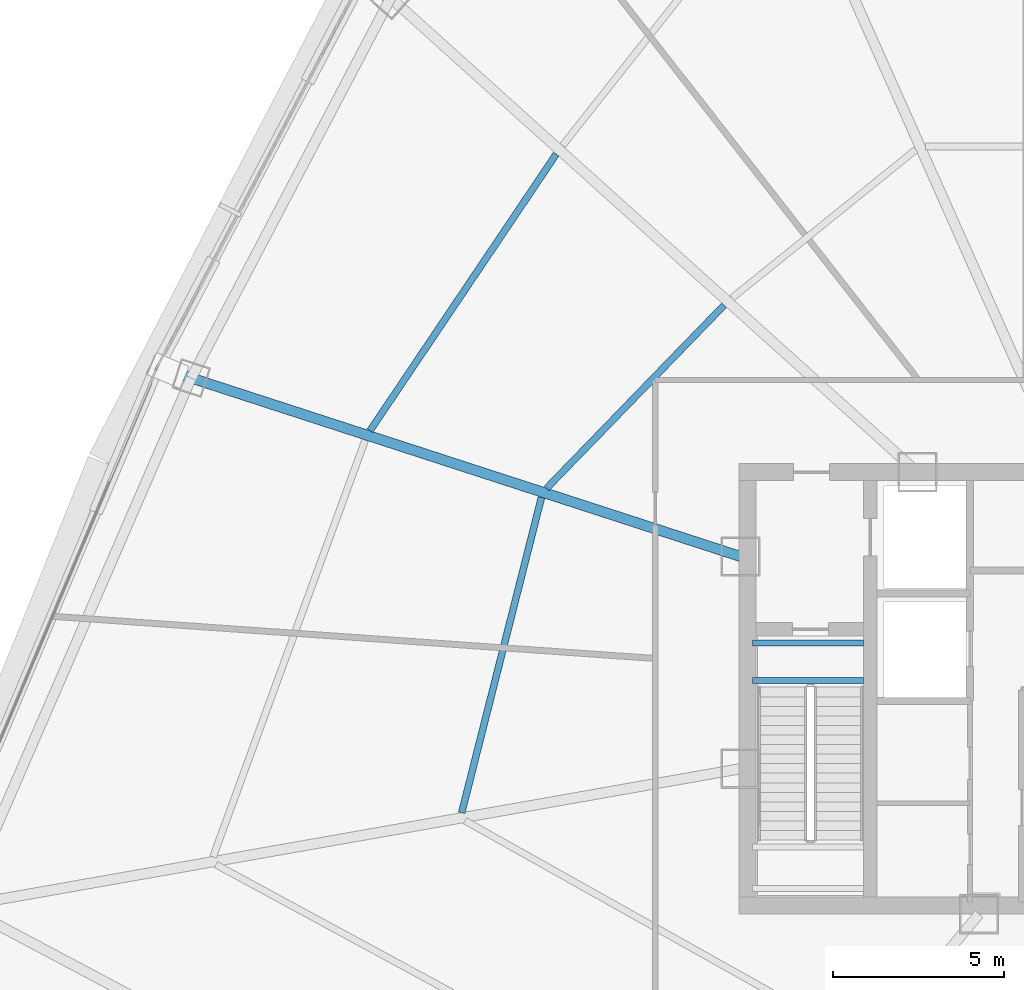
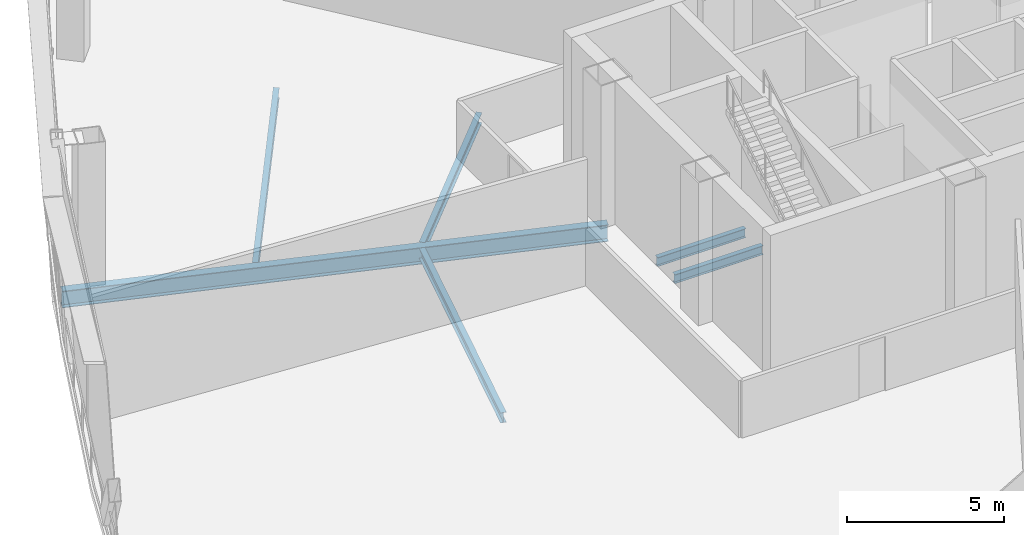
# One storey, part 9 of 38: 6 beams.
"""IFC4 building model written with IfcOpenShell, lengths in metres."""

import ifcopenshell
import ifcopenshell.guid

model = None  # the IFC model being written
_history = None  # IfcOwnerHistory: only IFC2X3 demands one
_inside = {}  # id of a spatial element -> (the spatial element, [elements in it])
_under = {}  # id of a project, library or spatial element -> (it, [spatial elements below it])
_declared = {}  # id of a project -> (the project, [libraries it declares])
_typed = {}  # id of a type object -> (the type object, [elements of that type])
_made_of = {}  # id of a material, layer set ... -> (it, [elements and type objects made of it])


def new_model(schema):
    """Start an empty IFC model of exactly this schema.

    Asked for "IFC4X3", IfcOpenShell would pick the latest addendum, in which some entities
    have other attributes; the version numbers below select the first issue.
    IFC2X3 requires an IfcOwnerHistory on every rooted entity: one is made here for all.
    """
    global model, _history
    if schema == "IFC4X3":
        model = ifcopenshell.file(schema_version=(4, 3, 0, 0))
    else:
        model = ifcopenshell.file(schema=schema)
    _inside.clear()
    _under.clear()
    _declared.clear()
    _typed.clear()
    _made_of.clear()
    _history = None
    if model.schema == "IFC2X3":
        org = make("IfcOrganization", Name="unknown")
        user = make(
            "IfcPersonAndOrganization",
            ThePerson=make("IfcPerson", FamilyName="unknown"),
            TheOrganization=org,
        )
        app = make(
            "IfcApplication",
            ApplicationDeveloper=org,
            Version="unknown",
            ApplicationFullName="unknown",
            ApplicationIdentifier="unknown",
        )
        _history = make(
            "IfcOwnerHistory",
            OwningUser=user,
            OwningApplication=app,
            ChangeAction="ADDED",
            CreationDate=0,
        )
    return model


def make(cls, **values):
    """One entity of the class cls with the attributes given. An attribute that is None is left unset."""
    return model.create_entity(
        cls, **{name: value for name, value in values.items() if value is not None}
    )


def rooted(cls, **values):
    """An entity with a GlobalId (a new one), such as an element, a storey or a relation."""
    return make(cls, GlobalId=ifcopenshell.guid.new(), OwnerHistory=_history, **values)


def si_unit(unit_type, name, prefix=None):
    """IfcSIUnit, for example si_unit("LENGTHUNIT", "METRE", prefix="MILLI")."""
    return make("IfcSIUnit", UnitType=unit_type, Prefix=prefix, Name=name)


def assignment(units):
    """IfcUnitAssignment: the units of a project."""
    return None if units is None else make("IfcUnitAssignment", Units=units)


def point(xyz):
    """IfcCartesianPoint."""
    return None if xyz is None else make("IfcCartesianPoint", Coordinates=xyz)


def direction(xyz):
    """IfcDirection."""
    return None if xyz is None else make("IfcDirection", DirectionRatios=xyz)


def frame(location, z_axis=None, x_axis=None):
    """IfcAxis2Placement3D, a coordinate frame: its origin and axes. An axis left out is left unset."""
    return make(
        "IfcAxis2Placement3D",
        Location=point(location),
        Axis=direction(z_axis),
        RefDirection=direction(x_axis),
    )


def frame_2d(location, x_axis=None):
    """IfcAxis2Placement2D, a coordinate frame in the plane: its origin and x axis."""
    return make(
        "IfcAxis2Placement2D", Location=point(location), RefDirection=direction(x_axis)
    )


def origin():
    """The frame at (0, 0, 0) with its axes left unset."""
    return frame((0.0, 0.0, 0.0))


def origin_2d():
    """The frame at (0, 0) in the plane with its x axis left unset."""
    return frame_2d((0.0, 0.0))


def place(relative_to, where):
    """IfcLocalPlacement: puts the frame where relative to a parent placement (None: the world)."""
    return make(
        "IfcLocalPlacement", PlacementRelTo=relative_to, RelativePlacement=where
    )


def context(
    kind, dimensions, precision=None, world=None, true_north=None, identifier=None
):
    """IfcGeometricRepresentationContext, for example the 3D "Model" context."""
    return make(
        "IfcGeometricRepresentationContext",
        ContextIdentifier=identifier,
        ContextType=kind,
        CoordinateSpaceDimension=dimensions,
        Precision=precision,
        WorldCoordinateSystem=world,
        TrueNorth=true_north,
    )


def subcontext(parent, identifier, kind, view, scale=None):
    """IfcGeometricRepresentationSubContext, for example "Body" below "Model"."""
    return make(
        "IfcGeometricRepresentationSubContext",
        ContextIdentifier=identifier,
        ContextType=kind,
        ParentContext=parent,
        TargetScale=scale,
        TargetView=view,
    )


def project(units=None, contexts=None):
    """IfcProject with its units and contexts."""
    return rooted(
        "IfcProject",
        Name="project",
        RepresentationContexts=contexts,
        UnitsInContext=assignment(units),
    )


def spatial(cls, under=None, at=None, **own):
    """A site, building, storey or space (cls), placed at a placement, below another one or the project."""
    s = rooted(cls, ObjectPlacement=at, **own)
    if under is not None:
        _under.setdefault(under.id(), (under, []))[1].append(s)
    return s


def profile(cls, at=None, kind="AREA", **sizes):
    """A parametric profile (cls). Its sizes go by their IFC names, for example OverallWidth=200.0."""
    return make(cls, ProfileType=kind, Position=at, **sizes)


def i_section(**sizes):
    """IfcIShapeProfileDef."""
    return profile("IfcIShapeProfileDef", **sizes)


def extrude(swept, where, along, depth):
    """IfcExtrudedAreaSolid: the profile swept, set in the frame where, extruded along a direction by depth."""
    return make(
        "IfcExtrudedAreaSolid",
        SweptArea=swept,
        Position=where,
        ExtrudedDirection=direction(along),
        Depth=depth,
    )


def shape(context_of_items, identifier, shape_type, items):
    """IfcShapeRepresentation: the items that make up one representation, for example the "Body"."""
    return make(
        "IfcShapeRepresentation",
        ContextOfItems=context_of_items,
        RepresentationIdentifier=identifier,
        RepresentationType=shape_type,
        Items=items,
    )


def source(mapping_origin, context_of_items, identifier, shape_type, items):
    """IfcRepresentationMap: a shape defined once, which mapped items show again and again."""
    return make(
        "IfcRepresentationMap",
        MappingOrigin=mapping_origin,
        MappedRepresentation=shape(context_of_items, identifier, shape_type, items),
    )


def transform(
    local_origin,
    x_axis=None,
    y_axis=None,
    z_axis=None,
    scale=None,
    scale2=None,
    scale3=None,
    uniform=True,
):
    """IfcCartesianTransformationOperator3D, or its non-uniform kind. x_axis, y_axis, z_axis: its Axis1, 2, 3."""
    if uniform:
        return make(
            "IfcCartesianTransformationOperator3D",
            Axis1=direction(x_axis),
            Axis2=direction(y_axis),
            LocalOrigin=point(local_origin),
            Scale=scale,
            Axis3=direction(z_axis),
        )
    return make(
        "IfcCartesianTransformationOperator3DnonUniform",
        Axis1=direction(x_axis),
        Axis2=direction(y_axis),
        LocalOrigin=point(local_origin),
        Scale=scale,
        Axis3=direction(z_axis),
        Scale2=scale2,
        Scale3=scale3,
    )


def mapped(mapping_source, mapping_target):
    """IfcMappedItem: shows the shape of a source again, moved by a transform."""
    return make(
        "IfcMappedItem", MappingSource=mapping_source, MappingTarget=mapping_target
    )


def material(Name=None, Category=None):
    """IfcMaterial."""
    return make("IfcMaterial", Name=Name, Category=Category)


def material_profile(
    of_material, cross_section, Name=None, Category=None, Priority=None
):
    """IfcMaterialProfile: a cross section and its material."""
    return make(
        "IfcMaterialProfile",
        Name=Name,
        Material=of_material,
        Profile=cross_section,
        Priority=Priority,
        Category=Category,
    )


def profile_set(profiles, Name=None, composite=None):
    """IfcMaterialProfileSet."""
    return make(
        "IfcMaterialProfileSet",
        Name=Name,
        MaterialProfiles=profiles,
        CompositeProfile=composite,
    )


def made_of(thing, what):
    """Note that an element or type object is made of a material, layer set ...; save() writes the relation."""
    if what is not None:
        _made_of.setdefault(what.id(), (what, []))[1].append(thing)
    return thing


def type_object(cls, material=None, **own):
    """A type object (cls), such as IfcWallType, which elements share."""
    return made_of(rooted(cls, **own), material)


def element(
    cls,
    number,
    at=None,
    inside=None,
    cuts=None,
    type_object=None,
    material=None,
    context=None,
    identifier="Body",
    shape_type=None,
    held_by="IfcProductDefinitionShape",
    body=None,
    shapes=None,
    **own,
):
    """One element of the class cls, such as IfcWall. Its Tag is "e" and its number.

    at: its placement. inside: the storey or other place that contains it. cuts: it is an
    opening in that element (IfcRelVoidsElement). A single representation is given by context,
    identifier, shape_type and body (its items); several are given by shapes. held_by: the class
    of the entity that holds the representations. save() writes the other relations.
    """
    e = rooted(cls, Tag="e%d" % number, ObjectPlacement=at, **own)
    if body is not None:
        shapes = [shape(context, identifier, shape_type, body)]
    if shapes is not None:
        e.Representation = make(held_by, Representations=shapes)
    if inside is not None:
        _inside.setdefault(inside.id(), (inside, []))[1].append(e)
    if cuts is not None:
        rooted(
            "IfcRelVoidsElement", RelatingBuildingElement=cuts, RelatedOpeningElement=e
        )
    if type_object is not None:
        _typed.setdefault(type_object.id(), (type_object, []))[1].append(e)
    return made_of(e, material)


def aggregate(whole, parts):
    """IfcRelAggregates: a whole, such as a stair, and the parts it consists of."""
    return rooted("IfcRelAggregates", RelatingObject=whole, RelatedObjects=parts)


def save(model, path):
    """Write the relations noted so far, then the file.

    IfcRelAggregates (storeys below a building ...), IfcRelContainedInSpatialStructure (elements
    in a storey), IfcRelDefinesByType, IfcRelAssociatesMaterial and IfcRelDeclares: one each for
    every whole, place, type object, material and project.
    """
    for whole, parts in _under.values():
        aggregate(whole, parts)
    for where, things in _inside.values():
        rooted(
            "IfcRelContainedInSpatialStructure",
            RelatedElements=things,
            RelatingStructure=where,
        )
    for kind, things in _typed.values():
        rooted("IfcRelDefinesByType", RelatedObjects=things, RelatingType=kind)
    for what, things in _made_of.values():
        rooted("IfcRelAssociatesMaterial", RelatedObjects=things, RelatingMaterial=what)
    for by, libraries in _declared.values():
        rooted("IfcRelDeclares", RelatingContext=by, RelatedDefinitions=libraries)
    model.write(path)


model = new_model("IFC4")

# Units and contexts
model_context = context("Model", 3, precision=1e-05, world=origin(), true_north=direction((0.0, 1.0)))
body_context = subcontext(model_context, "Body", "Model", "MODEL_VIEW")
ifc_project = project(units=[si_unit("LENGTHUNIT", "METRE"), si_unit("AREAUNIT", "SQUARE_METRE"), si_unit("VOLUMEUNIT", "CUBIC_METRE"), si_unit("PLANEANGLEUNIT", "RADIAN"), si_unit("MASSUNIT", "GRAM", prefix="KILO"), si_unit("THERMODYNAMICTEMPERATUREUNIT", "KELVIN"), si_unit("POWERUNIT", "WATT")], contexts=[model_context])

# Site, building, storey
site_placement = place(None, origin())
site = spatial("IfcSite", under=ifc_project, at=site_placement, CompositionType="ELEMENT")
building_placement = place(site_placement, origin())
building = spatial("IfcBuilding", under=site, at=building_placement, Name="Yunzhuo Pagoda Commons", CompositionType="ELEMENT")
storey_placement = place(building_placement, frame((0.0, 0.0, 218.9599609375)))
storey = spatial("IfcBuildingStorey", under=building, at=storey_placement, Name="L55", CompositionType="ELEMENT", Elevation=218.9599609375)

# Beams
ifc_material = material(Name="Structural steel Q355B", Category="steel")
ifc_material_profile_1 = material_profile(ifc_material, i_section(OverallWidth=0.175048828125, OverallDepth=0.35009765625, WebThickness=0.007080078125, FlangeThickness=0.010986328125, at=origin_2d()), Name="Structural steel Q355B")
ifc_profile_set_1 = profile_set([ifc_material_profile_1], Name="Structural steel Q355B")
beam_type_1 = type_object("IfcBeamType", Name="B-JS2 Joist HN 350x175x7x11", PredefinedType="JOIST", material=ifc_profile_set_1)
shared_shape_1 = source(origin(), body_context, "Body", "SweptSolid", [
    extrude(i_section(OverallWidth=0.175048828125, OverallDepth=0.35009765625, WebThickness=0.007080078125, FlangeThickness=0.010986328125, at=origin_2d()), origin(), (0.0, 0.0, 1.0), 3.25),
])
for number, where, z_axis, x_axis, name in (
    (1, (35.949951171875, 34.10009765625, -0.375), (1.0, 0.0, 0.0), (0.0, 1.0, 0.0), "L55 ST1 landing support beam 159A"),
    (2, (35.949951171875, 35.199951171875, -0.375), (1.0, 0.0, 0.0), (0.0, 1.0, 0.0), "L55 ST1 landing support beam 159B"),
):
    element("IfcBeam", number, at=place(storey_placement, frame(where, z_axis=z_axis, x_axis=x_axis)), inside=storey, type_object=beam_type_1, Name=name, PredefinedType="JOIST", context=body_context, shape_type="MappedRepresentation", body=[
        mapped(shared_shape_1, transform((0.0, 0.0, 0.0), scale=1.0)),
    ])
ifc_material_profile_2 = material_profile(ifc_material, i_section(OverallWidth=0.199951171875, OverallDepth=0.39990234375, WebThickness=0.008056640625, FlangeThickness=0.012939453125, at=origin_2d()), Name="Structural steel Q355B")
ifc_profile_set_2 = profile_set([ifc_material_profile_2], Name="Structural steel Q355B")
beam_type_2 = type_object("IfcBeamType", Name="B-JS1 Joist HN 400x200x8x13", PredefinedType="JOIST", material=ifc_profile_set_2)
shared_shape_2 = source(origin(), body_context, "Body", "SweptSolid", [
    extrude(i_section(OverallWidth=0.199951171875, OverallDepth=0.39990234375, WebThickness=0.008056640625, FlangeThickness=0.012939453125, at=origin_2d()), origin(), (0.0, 0.0, 1.0), 9.529052734375),
])
beam_1_placement = place(storey_placement, frame((29.766845703125, 39.457763671875, -0.479736328125), z_axis=(-0.245367921097, -0.969430030119, 0.0), x_axis=(0.969430030119, -0.245367921097, 0.0)))
element("IfcBeam", 3, at=beam_1_placement, inside=storey, type_object=beam_type_2, Name="L55 composite ring joist 1.11", PredefinedType="JOIST", context=body_context, shape_type="MappedRepresentation", body=[
    mapped(shared_shape_2, transform((0.0, 0.0, 0.0), scale=1.0)),
])
shared_shape_3 = source(origin(), body_context, "Body", "SweptSolid", [
    extrude(i_section(OverallWidth=0.199951171875, OverallDepth=0.39990234375, WebThickness=0.008056640625, FlangeThickness=0.012939453125, at=origin_2d()), origin(), (0.0, 0.0, 1.0), 7.46826171875),
])
beam_2_placement = place(storey_placement, frame((35.114990234375, 45.087890625, -0.479736328125), z_axis=(-0.696070782679, -0.717973164889, 0.0), x_axis=(0.717973164889, -0.696070782679, 0.0)))
element("IfcBeam", 4, at=beam_2_placement, inside=storey, type_object=beam_type_2, Name="L55 composite ring joist 1.10", PredefinedType="JOIST", context=body_context, shape_type="MappedRepresentation", body=[
    mapped(shared_shape_3, transform((0.0, 0.0, 0.0), scale=1.0)),
])
shared_shape_4 = source(origin(), body_context, "Body", "SweptSolid", [
    extrude(i_section(OverallWidth=0.199951171875, OverallDepth=0.39990234375, WebThickness=0.008056640625, FlangeThickness=0.012939453125, at=origin_2d()), origin(), (0.0, 0.0, 1.0), 9.764892578125),
])
beam_3_placement = place(storey_placement, frame((30.198486328125, 49.5166015625, -0.479736328125), z_axis=(-0.558548425455, -0.829471914185, 0.0), x_axis=(0.829471914185, -0.558548425455, 0.0)))
element("IfcBeam", 5, at=beam_3_placement, inside=storey, type_object=beam_type_2, Name="L55 composite ring joist 2.10", PredefinedType="JOIST", context=body_context, shape_type="MappedRepresentation", body=[
    mapped(shared_shape_4, transform((0.0, 0.0, 0.0), scale=1.0)),
])
ifc_material_profile_3 = material_profile(ifc_material, i_section(OverallWidth=0.300048828125, OverallDepth=0.64990234375, WebThickness=0.012939453125, FlangeThickness=0.02197265625, at=origin_2d()), Name="Structural steel Q355B")
ifc_profile_set_3 = profile_set([ifc_material_profile_3], Name="Structural steel Q355B")
beam_type_3 = type_object("IfcBeamType", Name="B-RG2 Beam HN 650x300x13x22", PredefinedType="BEAM", material=ifc_profile_set_3)
shared_shape_5 = source(origin(), body_context, "Body", "SweptSolid", [
    extrude(i_section(OverallWidth=0.300048828125, OverallDepth=0.64990234375, WebThickness=0.012939453125, FlangeThickness=0.02197265625, at=origin_2d()), origin(), (0.0, 0.0, 1.0), 17.818115234375),
])
beam_4_placement = place(storey_placement, frame((18.654052734375, 43.235107421875, -0.604736328125), z_axis=(0.951056520464, -0.309016981545, 0.0), x_axis=(0.309016981545, 0.951056520464, 0.0)))
element("IfcBeam", 6, at=beam_4_placement, inside=storey, type_object=beam_type_3, Name="L55 radial floor girder F3C3", PredefinedType="BEAM", context=body_context, shape_type="MappedRepresentation", body=[
    mapped(shared_shape_5, transform((0.0, 0.0, 0.0), scale=1.0)),
])

save(model, "model.ifc")
